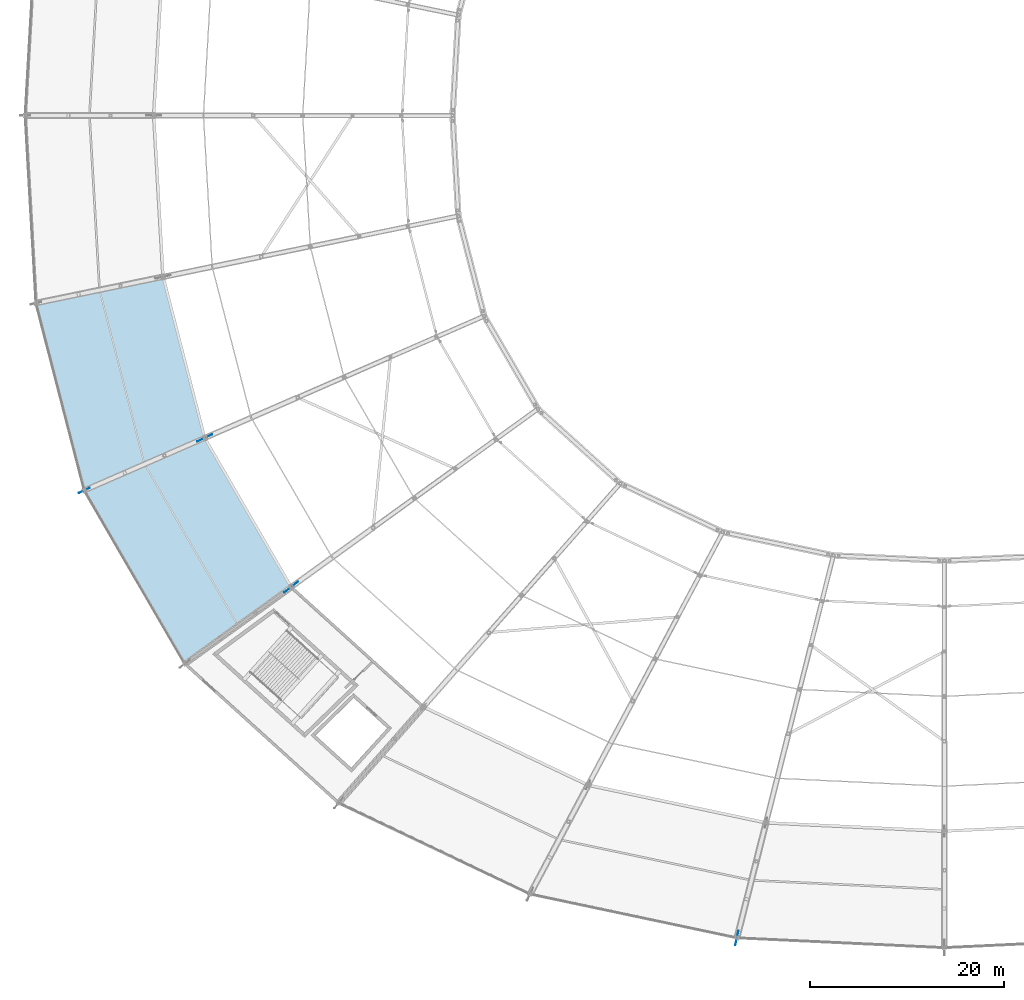
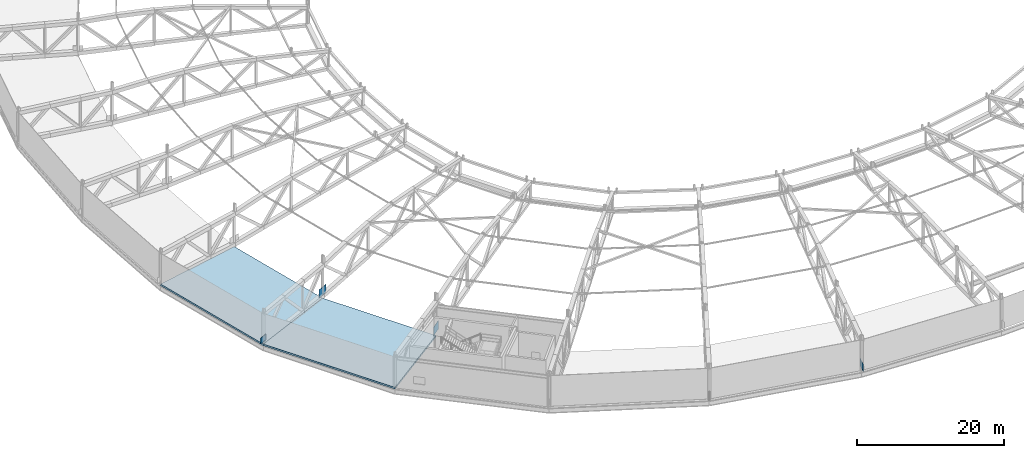
# One storey, part 139 of 162: 4 plates, 2 slabs.
"""IFC4 building model written with IfcOpenShell, lengths in metres."""

import ifcopenshell
import ifcopenshell.guid

model = None  # the IFC model being written
_history = None  # IfcOwnerHistory: only IFC2X3 demands one
_inside = {}  # id of a spatial element -> (the spatial element, [elements in it])
_under = {}  # id of a project, library or spatial element -> (it, [spatial elements below it])
_declared = {}  # id of a project -> (the project, [libraries it declares])
_typed = {}  # id of a type object -> (the type object, [elements of that type])
_made_of = {}  # id of a material, layer set ... -> (it, [elements and type objects made of it])


def new_model(schema):
    """Start an empty IFC model of exactly this schema.

    Asked for "IFC4X3", IfcOpenShell would pick the latest addendum, in which some entities
    have other attributes; the version numbers below select the first issue.
    IFC2X3 requires an IfcOwnerHistory on every rooted entity: one is made here for all.
    """
    global model, _history
    if schema == "IFC4X3":
        model = ifcopenshell.file(schema_version=(4, 3, 0, 0))
    else:
        model = ifcopenshell.file(schema=schema)
    _inside.clear()
    _under.clear()
    _declared.clear()
    _typed.clear()
    _made_of.clear()
    _history = None
    if model.schema == "IFC2X3":
        org = make("IfcOrganization", Name="unknown")
        user = make(
            "IfcPersonAndOrganization",
            ThePerson=make("IfcPerson", FamilyName="unknown"),
            TheOrganization=org,
        )
        app = make(
            "IfcApplication",
            ApplicationDeveloper=org,
            Version="unknown",
            ApplicationFullName="unknown",
            ApplicationIdentifier="unknown",
        )
        _history = make(
            "IfcOwnerHistory",
            OwningUser=user,
            OwningApplication=app,
            ChangeAction="ADDED",
            CreationDate=0,
        )
    return model


def make(cls, **values):
    """One entity of the class cls with the attributes given. An attribute that is None is left unset."""
    return model.create_entity(
        cls, **{name: value for name, value in values.items() if value is not None}
    )


def rooted(cls, **values):
    """An entity with a GlobalId (a new one), such as an element, a storey or a relation."""
    return make(cls, GlobalId=ifcopenshell.guid.new(), OwnerHistory=_history, **values)


def si_unit(unit_type, name, prefix=None):
    """IfcSIUnit, for example si_unit("LENGTHUNIT", "METRE", prefix="MILLI")."""
    return make("IfcSIUnit", UnitType=unit_type, Prefix=prefix, Name=name)


def assignment(units):
    """IfcUnitAssignment: the units of a project."""
    return None if units is None else make("IfcUnitAssignment", Units=units)


def point(xyz):
    """IfcCartesianPoint."""
    return None if xyz is None else make("IfcCartesianPoint", Coordinates=xyz)


def direction(xyz):
    """IfcDirection."""
    return None if xyz is None else make("IfcDirection", DirectionRatios=xyz)


def frame(location, z_axis=None, x_axis=None):
    """IfcAxis2Placement3D, a coordinate frame: its origin and axes. An axis left out is left unset."""
    return make(
        "IfcAxis2Placement3D",
        Location=point(location),
        Axis=direction(z_axis),
        RefDirection=direction(x_axis),
    )


def frame_2d(location, x_axis=None):
    """IfcAxis2Placement2D, a coordinate frame in the plane: its origin and x axis."""
    return make(
        "IfcAxis2Placement2D", Location=point(location), RefDirection=direction(x_axis)
    )


def origin():
    """The frame at (0, 0, 0) with its axes left unset."""
    return frame((0.0, 0.0, 0.0))


def origin_2d():
    """The frame at (0, 0) in the plane with its x axis left unset."""
    return frame_2d((0.0, 0.0))


def place(relative_to, where):
    """IfcLocalPlacement: puts the frame where relative to a parent placement (None: the world)."""
    return make(
        "IfcLocalPlacement", PlacementRelTo=relative_to, RelativePlacement=where
    )


def context(
    kind, dimensions, precision=None, world=None, true_north=None, identifier=None
):
    """IfcGeometricRepresentationContext, for example the 3D "Model" context."""
    return make(
        "IfcGeometricRepresentationContext",
        ContextIdentifier=identifier,
        ContextType=kind,
        CoordinateSpaceDimension=dimensions,
        Precision=precision,
        WorldCoordinateSystem=world,
        TrueNorth=true_north,
    )


def subcontext(parent, identifier, kind, view, scale=None):
    """IfcGeometricRepresentationSubContext, for example "Body" below "Model"."""
    return make(
        "IfcGeometricRepresentationSubContext",
        ContextIdentifier=identifier,
        ContextType=kind,
        ParentContext=parent,
        TargetScale=scale,
        TargetView=view,
    )


def project(units=None, contexts=None):
    """IfcProject with its units and contexts."""
    return rooted(
        "IfcProject",
        Name="project",
        RepresentationContexts=contexts,
        UnitsInContext=assignment(units),
    )


def spatial(cls, under=None, at=None, **own):
    """A site, building, storey or space (cls), placed at a placement, below another one or the project."""
    s = rooted(cls, ObjectPlacement=at, **own)
    if under is not None:
        _under.setdefault(under.id(), (under, []))[1].append(s)
    return s


def polyline(points):
    """IfcPolyline through the points."""
    return make("IfcPolyline", Points=[point(p) for p in points])


def profile(cls, at=None, kind="AREA", **sizes):
    """A parametric profile (cls). Its sizes go by their IFC names, for example OverallWidth=200.0."""
    return make(cls, ProfileType=kind, Position=at, **sizes)


def rectangle(**sizes):
    """IfcRectangleProfileDef."""
    return profile("IfcRectangleProfileDef", **sizes)


def outline(outer, holes=None, kind="AREA"):
    """IfcArbitraryClosedProfileDef: a profile drawn as a closed curve; with holes, ...WithVoids."""
    if holes is None:
        return make("IfcArbitraryClosedProfileDef", ProfileType=kind, OuterCurve=outer)
    return make(
        "IfcArbitraryProfileDefWithVoids",
        ProfileType=kind,
        OuterCurve=outer,
        InnerCurves=holes,
    )


def extrude(swept, where, along, depth):
    """IfcExtrudedAreaSolid: the profile swept, set in the frame where, extruded along a direction by depth."""
    return make(
        "IfcExtrudedAreaSolid",
        SweptArea=swept,
        Position=where,
        ExtrudedDirection=direction(along),
        Depth=depth,
    )


def shape(context_of_items, identifier, shape_type, items):
    """IfcShapeRepresentation: the items that make up one representation, for example the "Body"."""
    return make(
        "IfcShapeRepresentation",
        ContextOfItems=context_of_items,
        RepresentationIdentifier=identifier,
        RepresentationType=shape_type,
        Items=items,
    )


def material(Name=None, Category=None):
    """IfcMaterial."""
    return make("IfcMaterial", Name=Name, Category=Category)


def layer(
    of_material, thickness, ventilated=None, Name=None, Category=None, Priority=None
):
    """IfcMaterialLayer: one layer of a wall or slab, of a material (None: an air gap)."""
    return make(
        "IfcMaterialLayer",
        Material=of_material,
        LayerThickness=thickness,
        IsVentilated=ventilated,
        Name=Name,
        Category=Category,
        Priority=Priority,
    )


def layer_set(layers, Name=None):
    """IfcMaterialLayerSet."""
    return make("IfcMaterialLayerSet", MaterialLayers=layers, LayerSetName=Name)


def made_of(thing, what):
    """Note that an element or type object is made of a material, layer set ...; save() writes the relation."""
    if what is not None:
        _made_of.setdefault(what.id(), (what, []))[1].append(thing)
    return thing


def type_object(cls, material=None, **own):
    """A type object (cls), such as IfcWallType, which elements share."""
    return made_of(rooted(cls, **own), material)


def element(
    cls,
    number,
    at=None,
    inside=None,
    cuts=None,
    type_object=None,
    material=None,
    context=None,
    identifier="Body",
    shape_type=None,
    held_by="IfcProductDefinitionShape",
    body=None,
    shapes=None,
    **own,
):
    """One element of the class cls, such as IfcWall. Its Tag is "e" and its number.

    at: its placement. inside: the storey or other place that contains it. cuts: it is an
    opening in that element (IfcRelVoidsElement). A single representation is given by context,
    identifier, shape_type and body (its items); several are given by shapes. held_by: the class
    of the entity that holds the representations. save() writes the other relations.
    """
    e = rooted(cls, Tag="e%d" % number, ObjectPlacement=at, **own)
    if body is not None:
        shapes = [shape(context, identifier, shape_type, body)]
    if shapes is not None:
        e.Representation = make(held_by, Representations=shapes)
    if inside is not None:
        _inside.setdefault(inside.id(), (inside, []))[1].append(e)
    if cuts is not None:
        rooted(
            "IfcRelVoidsElement", RelatingBuildingElement=cuts, RelatedOpeningElement=e
        )
    if type_object is not None:
        _typed.setdefault(type_object.id(), (type_object, []))[1].append(e)
    return made_of(e, material)


def aggregate(whole, parts):
    """IfcRelAggregates: a whole, such as a stair, and the parts it consists of."""
    return rooted("IfcRelAggregates", RelatingObject=whole, RelatedObjects=parts)


def save(model, path):
    """Write the relations noted so far, then the file.

    IfcRelAggregates (storeys below a building ...), IfcRelContainedInSpatialStructure (elements
    in a storey), IfcRelDefinesByType, IfcRelAssociatesMaterial and IfcRelDeclares: one each for
    every whole, place, type object, material and project.
    """
    for whole, parts in _under.values():
        aggregate(whole, parts)
    for where, things in _inside.values():
        rooted(
            "IfcRelContainedInSpatialStructure",
            RelatedElements=things,
            RelatingStructure=where,
        )
    for kind, things in _typed.values():
        rooted("IfcRelDefinesByType", RelatedObjects=things, RelatingType=kind)
    for what, things in _made_of.values():
        rooted("IfcRelAssociatesMaterial", RelatedObjects=things, RelatingMaterial=what)
    for by, libraries in _declared.values():
        rooted("IfcRelDeclares", RelatingContext=by, RelatedDefinitions=libraries)
    model.write(path)


model = new_model("IFC4")

# Units and contexts
model_context = context("Model", 3, precision=1e-05, world=origin(), true_north=direction((0.0, 1.0)))
body_context = subcontext(model_context, "Body", "Model", "MODEL_VIEW")
ifc_project = project(units=[si_unit("LENGTHUNIT", "METRE"), si_unit("AREAUNIT", "SQUARE_METRE"), si_unit("VOLUMEUNIT", "CUBIC_METRE"), si_unit("PLANEANGLEUNIT", "RADIAN"), si_unit("MASSUNIT", "GRAM", prefix="KILO")], contexts=[model_context])

# Site, building, storey
site_placement = place(None, origin())
site = spatial("IfcSite", under=ifc_project, at=site_placement, CompositionType="ELEMENT")
building_placement = place(site_placement, origin())
building = spatial("IfcBuilding", under=site, at=building_placement, Name="Kazemori Nagisa Stadium", CompositionType="ELEMENT")
storey_placement = place(building_placement, frame((0.0, 0.0, 36.719970703125)))
storey = spatial("IfcBuildingStorey", under=building, at=storey_placement, Name="RF", CompositionType="ELEMENT", Elevation=36.719970703125)

# Plates
ifc_material_1 = material(Name="Steel SN490B", Category="steel")
ifc_layer_1 = layer(ifc_material_1, 0.035888671875, Name="Steel SN490B", Category="steel")
ifc_layer_set_1 = layer_set([ifc_layer_1], Name="Steel SN490B")
plate_type_1 = type_object("IfcPlateType", Name="GussetPlate_GP-05", PredefinedType="SHEET", material=ifc_layer_set_1)
plate_1_placement = place(storey_placement, frame((34.114990234375, 63.25048828125, 0.35986328125), z_axis=(0.0, 0.0, 1.0), x_axis=(-0.900968867905, -0.433883739113, 0.0)))
element("IfcPlate", 1, at=plate_1_placement, inside=storey, type_object=plate_type_1, Name="Roof truss anchor gusset plate GP-05 RT-17-R3", PredefinedType="SHEET", context=body_context, shape_type="SweptSolid", body=[
    extrude(rectangle(XDim=1.219970703125, YDim=0.035888671875, at=origin_2d()), origin(), (0.0, 0.0, 1.0), 0.989990234375),
])
ifc_layer_2 = layer(ifc_material_1, 0.035888671875, Name="Steel SN490B", Category="steel")
ifc_layer_set_2 = layer_set([ifc_layer_2], Name="Steel SN490B")
plate_type_2 = type_object("IfcPlateType", Name="GussetPlate_GP-09", PredefinedType="SHEET", material=ifc_layer_set_2)
plate_2_placement = place(storey_placement, frame((101.572265625, 17.01318359375, 0.360107421875), z_axis=(0.0, 0.0, 1.0), x_axis=(-0.222520933954, -0.974927912182, 0.0)))
element("IfcPlate", 2, at=plate_2_placement, inside=storey, type_object=plate_type_2, Name="Roof truss anchor gusset plate GP-09 RT-21-R3", PredefinedType="SHEET", context=body_context, shape_type="SweptSolid", body=[
    extrude(rectangle(XDim=1.5400390625, YDim=0.035888671875, at=origin_2d()), origin(), (0.0, 0.0, 1.0), 1.22998046875),
])
ifc_layer_3 = layer(ifc_material_1, 0.0439453125, Name="Steel SN490B", Category="steel")
ifc_layer_set_3 = layer_set([ifc_layer_3], Name="Steel SN490B")
plate_type_3 = type_object("IfcPlateType", Name="GussetPlate_GP-11", PredefinedType="SHEET", material=ifc_layer_set_3)
plate_3_placement = place(storey_placement, frame((46.55908203125, 68.67529296875, 0.47998046875), z_axis=(0.0, 0.0, 1.0), x_axis=(-0.900968867905, -0.433883739113, 0.0)))
element("IfcPlate", 3, at=plate_3_placement, inside=storey, type_object=plate_type_3, Name="Roof truss anchor gusset plate GP-11 RT-17-R2", PredefinedType="SHEET", context=body_context, shape_type="SweptSolid", body=[
    extrude(rectangle(XDim=1.699951171875, YDim=0.0439453125, at=origin_2d()), origin(), (0.0, 0.0, 1.0), 1.35009765625),
])
ifc_layer_4 = layer(ifc_material_1, 0.048095703125, Name="Steel SN490B", Category="steel")
ifc_layer_set_4 = layer_set([ifc_layer_4], Name="Steel SN490B")
plate_type_4 = type_object("IfcPlateType", Name="GussetPlate_GP-12", PredefinedType="SHEET", material=ifc_layer_set_4)
plate_4_placement = place(storey_placement, frame((55.493896484375, 53.265869140625, 0.47998046875), z_axis=(0.0, 0.0, 1.0), x_axis=(-0.781831482473, -0.623489801853, 0.0)))
element("IfcPlate", 4, at=plate_4_placement, inside=storey, type_object=plate_type_4, Name="Roof truss anchor gusset plate GP-12 RT-18-R2", PredefinedType="SHEET", context=body_context, shape_type="SweptSolid", body=[
    extrude(rectangle(XDim=1.780029296875, YDim=0.048095703125, at=origin_2d()), origin(), (0.0, 0.0, 1.0), 1.409912109375),
])

# Slabs
ifc_material_2 = material(Name="Concrete C36/45 (Fc36)", Category="concrete")
ifc_layer_5 = layer(ifc_material_2, 0.280029296875, Name="Concrete C36/45 (Fc36)", Category="concrete")
ifc_layer_set_5 = layer_set([ifc_layer_5], Name="Concrete C36/45 (Fc36)")
slab_type = type_object("IfcSlabType", Name="Slab_SL-RF-GOND-280", PredefinedType="ROOF", material=ifc_layer_set_5)
slab_1_placement = place(storey_placement, frame((0.0, 0.0, -0.280029296875)))
element("IfcSlab", 5, at=slab_1_placement, inside=storey, type_object=slab_type, Name="Media gondola and high-core roof closure slab RF B16", PredefinedType="ROOF", context=body_context, shape_type="SweptSolid", body=[
    extrude(outline(polyline([(42.262451171875, 85.31787109375), (46.55908203125, 68.67529296875), (34.114990234375, 63.25048828125), (29.119140625, 82.602294921875), (42.262451171875, 85.31787109375)])), origin(), (0.0, 0.0, 1.0), 0.280029296875),
])
slab_2_placement = place(storey_placement, frame((0.0, 0.0, -0.280029296875)))
element("IfcSlab", 6, at=slab_2_placement, inside=storey, type_object=slab_type, Name="Media gondola and high-core roof closure slab RF B17", PredefinedType="ROOF", context=body_context, shape_type="SweptSolid", body=[
    extrude(outline(polyline([(46.55908203125, 68.67529296875), (55.493896484375, 53.265869140625), (44.504638671875, 45.332275390625), (34.114990234375, 63.25048828125), (46.55908203125, 68.67529296875)])), origin(), (0.0, 0.0, 1.0), 0.280029296875),
])

save(model, "model.ifc")
